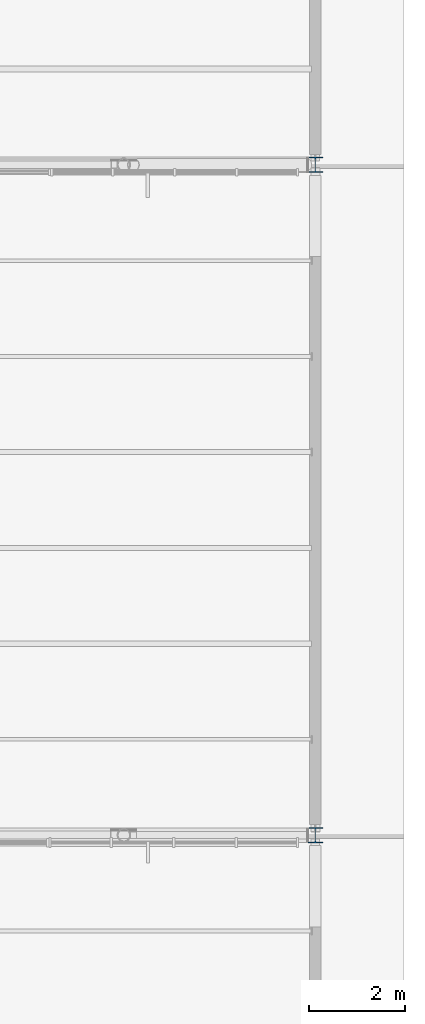
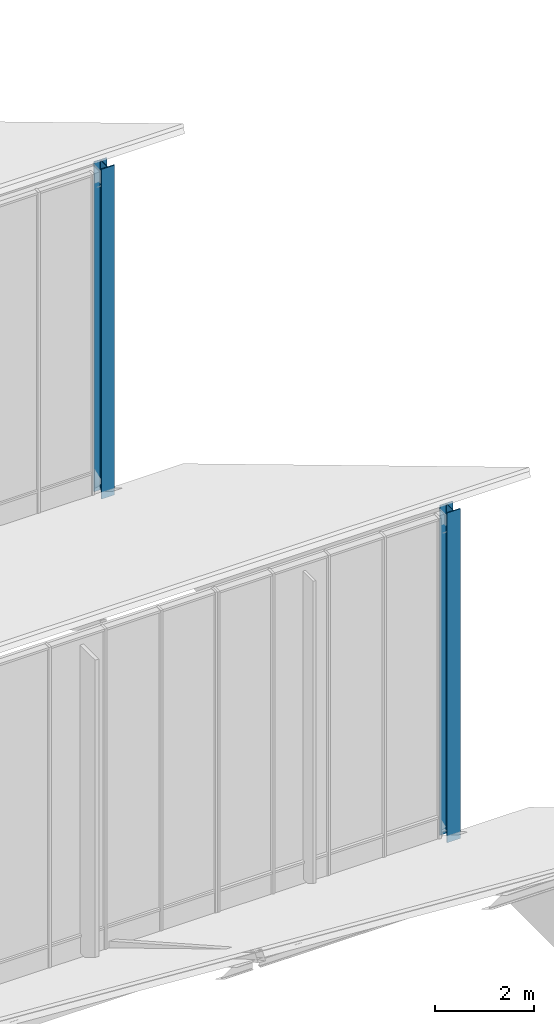
# One storey, part 5 of 155: 2 columns.
"""IFC4 building model written with IfcOpenShell, lengths in metres."""

from ifc_helpers import new_model, si_unit, direction, frame, origin, origin_2d, place, context, subcontext, project, spatial, i_section, extrude, material, material_profile, profile_set, type_object, element, save


model = new_model("IFC4")

# Units and contexts
model_context = context("Model", 3, precision=1e-05, world=origin(), true_north=direction((0.0, 1.0)))
body_context = subcontext(model_context, "Body", "Model", "MODEL_VIEW")
ifc_project = project(units=[si_unit("LENGTHUNIT", "METRE"), si_unit("AREAUNIT", "SQUARE_METRE"), si_unit("VOLUMEUNIT", "CUBIC_METRE"), si_unit("PLANEANGLEUNIT", "RADIAN"), si_unit("MASSUNIT", "GRAM", prefix="KILO")], contexts=[model_context])

# Site, building, storey
site_placement = place(None, origin())
site = spatial("IfcSite", under=ifc_project, at=site_placement, CompositionType="ELEMENT")
building_placement = place(site_placement, origin())
building = spatial("IfcBuilding", under=site, at=building_placement, Name="Larkveld Mobility Hub", CompositionType="ELEMENT")
storey_placement = place(building_placement, frame((0.0, 0.0, 8.39990234375)))
storey = spatial("IfcBuildingStorey", under=building, at=storey_placement, Name="L02", CompositionType="ELEMENT", Elevation=8.39990234375)

# Columns
ifc_material = material(Name="Steel S355JR", Category="steel")
ifc_material_profile = material_profile(ifc_material, i_section(OverallWidth=0.30908203125, OverallDepth=0.320556640625, WebThickness=0.013916015625, FlangeThickness=0.021728515625, FilletRadius=0.01513671875, at=origin_2d()), Name="UC 305x305x137")
ifc_profile_set = profile_set([ifc_material_profile], Name="Steel S355JR")
column_type = type_object("IfcColumnType", Name="CL-STUC305", PredefinedType="COLUMN", material=ifc_profile_set)
for number, where, z_axis, x_axis, name in (
    (1, (184.0, 42.0, 0.0), (0.0, 0.0, 1.0), (1.0, 0.0, 0.0), "Sawtooth Clerestory Truss Post B2-E"),
    (2, (184.0, 56.0, 0.0), (0.0, 0.0, 1.0), (1.0, 0.0, 0.0), "Sawtooth Clerestory Truss Post B3-E"),
):
    element("IfcColumn", number, at=place(storey_placement, frame(where, z_axis=z_axis, x_axis=x_axis)), inside=storey, type_object=column_type, Name=name, PredefinedType="COLUMN", context=body_context, shape_type="SweptSolid", body=[
        extrude(i_section(OverallWidth=0.30908203125, OverallDepth=0.320556640625, WebThickness=0.013916015625, FlangeThickness=0.021728515625, FilletRadius=0.01513671875, at=origin_2d()), origin(), (0.0, 0.0, 1.0), 8.150146484375),
    ])

save(model, "model.ifc")
